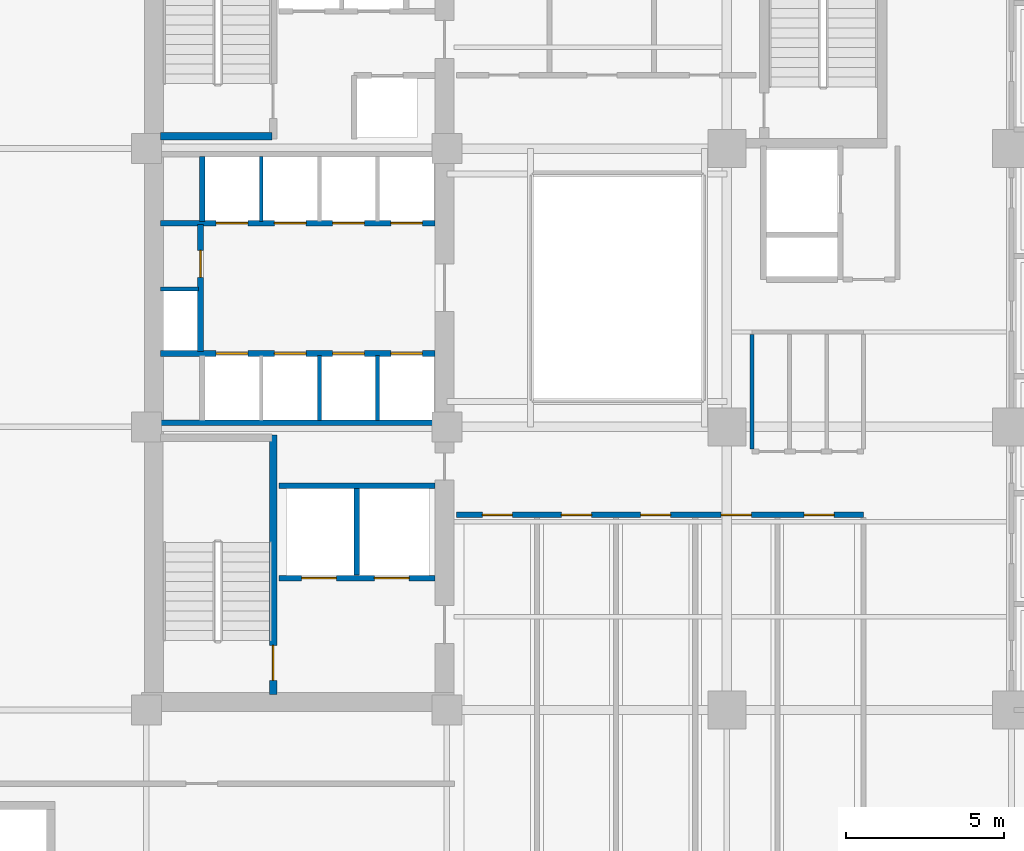
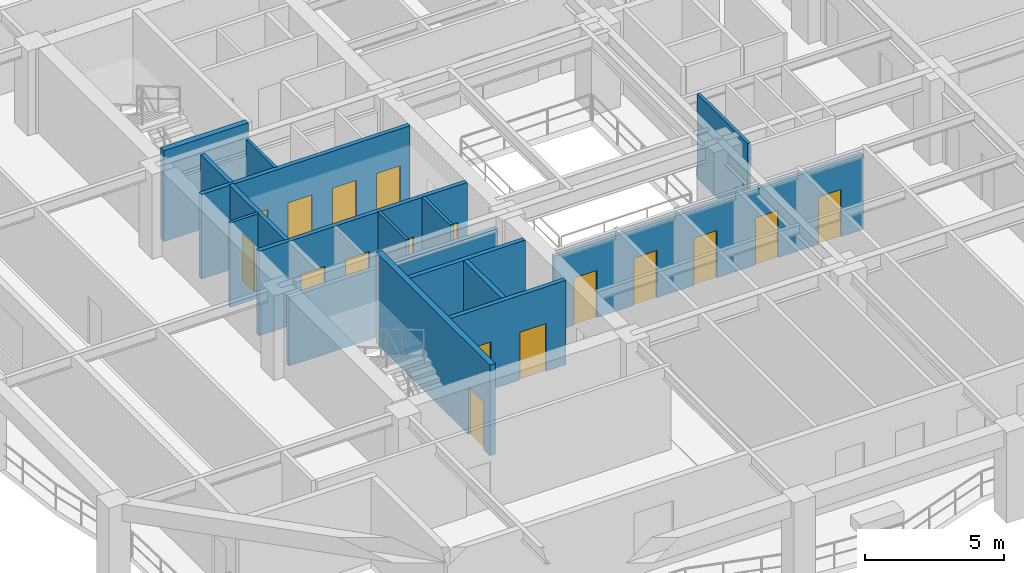
# One storey, part 3 of 13: 17 doors, 16 walls, 17 openings.
"""IFC4 building model written with IfcOpenShell, lengths in metres."""

from ifc_helpers import new_model, si_unit, direction, frame, frame_2d, origin, place, context, subcontext, project, spatial, rectangle, extrude, material, layer, layer_set, type_object, element, fill, save


model = new_model("IFC4")

# Units and contexts
model_context = context("Model", 3, precision=1e-05, world=origin(), true_north=direction((0.0, 1.0)))
body_context = subcontext(model_context, "Body", "Model", "MODEL_VIEW")
ifc_project = project(units=[si_unit("LENGTHUNIT", "METRE"), si_unit("AREAUNIT", "SQUARE_METRE"), si_unit("VOLUMEUNIT", "CUBIC_METRE"), si_unit("PLANEANGLEUNIT", "RADIAN"), si_unit("MASSUNIT", "GRAM", prefix="KILO")], contexts=[model_context])

# Site, building, storey
site_placement = place(None, origin())
site = spatial("IfcSite", under=ifc_project, at=site_placement, CompositionType="ELEMENT")
building_placement = place(site_placement, origin())
building = spatial("IfcBuilding", under=site, at=building_placement, Name="Kundavana Baori Tower", CompositionType="ELEMENT")
storey_placement = place(building_placement, frame((0.0, 0.0, 66.0)))
storey = spatial("IfcBuildingStorey", under=building, at=storey_placement, Name="L15", CompositionType="ELEMENT", Elevation=66.0)

# Wall, opening, door
ifc_material_1 = material(Name="Concrete C50/60", Category="concrete")
ifc_layer_1 = layer(ifc_material_1, 0.39990234375, Name="WL-CORE-400")
ifc_layer_set_1 = layer_set([ifc_layer_1], Name="Concrete C50/60")
wall_type_1 = type_object("IfcWallType", Name="WL-CORE-400", PredefinedType="SHEAR", material=ifc_layer_set_1)
wall_1_placement = place(storey_placement, frame((19.4599609375, 15.739990234375, 0.0), z_axis=(0.0, 0.0, 1.0), x_axis=(0.0, 1.0, 0.0)))
wall_1 = element("IfcWall", 1, at=wall_1_placement, inside=storey, type_object=wall_type_1, Name="WL-L15-ST1-E", PredefinedType="SHEAR", context=body_context, shape_type="SweptSolid", body=[
    extrude(rectangle(XDim=8.199951171875, YDim=0.239990234375, at=frame_2d((4.10009765625, 0.0))), origin(), (0.0, 0.0, 1.0), 4.0),
])
opening_1_placement = place(wall_1_placement, frame((0.449951171875, 0.0, 0.0)))
opening_1 = element("IfcOpeningElement", 2, at=opening_1_placement, cuts=wall_1, Name="Opening FD-110", PredefinedType="OPENING", context=body_context, shape_type="SweptSolid", body=[
    extrude(rectangle(XDim=1.10009765625, YDim=2.10009765625, at=frame_2d((0.550048828125, 1.050048828125))), frame((0.0, 0.1298828125, 0.0), z_axis=(0.0, -1.0, 0.0), x_axis=(1.0, 0.0, 0.0)), (0.0, 0.0, 1.0), 0.260009765625),
])
ifc_material_2 = material(Name="Galvanised Steel Fire-Rated Door Leaf", Category="steel")
door_type_1 = type_object("IfcDoorType", Name="DR-FD120-1100", OperationType="NOTDEFINED", PredefinedType="DOOR", material=ifc_material_2)
door_1_placement = place(opening_1_placement, origin())
door_1 = element("IfcDoor", 3, at=door_1_placement, inside=storey, type_object=door_type_1, Name="DR-L15-ST1", OperationType="SINGLE_SWING_LEFT", OverallHeight=2.10009765625, OverallWidth=1.10009765625, PredefinedType="DOOR", context=body_context, shape_type="SweptSolid", body=[
    extrude(rectangle(XDim=1.10009765625, YDim=2.10009765625, at=frame_2d((0.550048828125, 1.050048828125))), frame((0.0, 0.02490234375, 0.0), z_axis=(0.0, -1.0, 0.0), x_axis=(1.0, 0.0, 0.0)), (0.0, 0.0, 1.0), 0.050048828125),
])
fill(opening_1, door_1)

# Walls
wall_2_placement = place(storey_placement, frame((15.89990234375, 33.389892578125, 0.0), z_axis=(0.0, 0.0, 1.0), x_axis=(1.0, 0.0, 0.0)))
element("IfcWall", 4, at=wall_2_placement, inside=storey, type_object=wall_type_1, Name="WL-L15-ST2-S", PredefinedType="SHEAR", context=body_context, shape_type="SweptSolid", body=[
    extrude(rectangle(XDim=3.52001953125, YDim=0.239990234375, at=frame_2d((1.760009765625, 0.0))), origin(), (0.0, 0.0, 1.0), 4.0),
])
ifc_material_3 = material(Name="Acoustic Gypsum Plasterboard on Galvanised Steel Studs", Category="steel")
ifc_layer_2 = layer(ifc_material_3, 0.1201171875, Name="WL-PART-120")
ifc_layer_set_2 = layer_set([ifc_layer_2], Name="Acoustic Gypsum Plasterboard on Galvanised Steel Studs")
wall_type_2 = type_object("IfcWallType", Name="WL-PART-120", PredefinedType="PARTITIONING", material=ifc_layer_set_2)
for number, where, z_axis, x_axis, name in (
    (5, (20.919921875, 24.39990234375, 0.0), (0.0, 0.0, 1.0), (0.0, 1.0, 0.0), "WL-L15-LPLOW-D2"),
    (6, (22.760009765625, 24.39990234375, 0.0), (0.0, 0.0, 1.0), (0.0, 1.0, 0.0), "WL-L15-LPLOW-D3"),
):
    element("IfcWall", number, at=place(storey_placement, frame(where, z_axis=z_axis, x_axis=x_axis)), inside=storey, type_object=wall_type_2, Name=name, PredefinedType="PARTITIONING", context=body_context, shape_type="SweptSolid", body=[
        extrude(rectangle(XDim=2.050048828125, YDim=0.1201171875, at=frame_2d((1.02490234375, 0.0))), origin(), (0.0, 0.0, 1.0), 3.719970703125),
    ])
wall_3_placement = place(storey_placement, frame((15.89990234375, 28.56005859375, 0.0), z_axis=(0.0, 0.0, 1.0), x_axis=(1.0, 0.0, 0.0)))
element("IfcWall", 7, at=wall_3_placement, inside=storey, type_object=wall_type_2, Name="WL-L15-RSRW-N", PredefinedType="PARTITIONING", context=body_context, shape_type="SweptSolid", body=[
    extrude(rectangle(XDim=1.2001953125, YDim=0.1201171875, at=frame_2d((0.60009765625, 0.0))), origin(), (0.0, 0.0, 1.0), 3.719970703125),
])
wall_4_placement = place(storey_placement, frame((19.080078125, 30.699951171875, 0.0), z_axis=(0.0, 0.0, 1.0), x_axis=(0.0, 1.0, 0.0)))
element("IfcWall", 8, at=wall_4_placement, inside=storey, type_object=wall_type_2, Name="WL-L15-LPMID-D1", PredefinedType="PARTITIONING", context=body_context, shape_type="SweptSolid", body=[
    extrude(rectangle(XDim=2.050048828125, YDim=0.1201171875, at=frame_2d((1.02490234375, 0.0))), origin(), (0.0, 0.0, 1.0), 3.719970703125),
])

# Wall, openings, doors
ifc_material_4 = material(Name="Fire-Rated Gypsum Drywall on Galvanised Steel Studs", Category="steel")
ifc_layer_3 = layer(ifc_material_4, 0.1650390625, Name="WL-PART-165")
ifc_layer_set_3 = layer_set([ifc_layer_3], Name="Fire-Rated Gypsum Drywall on Galvanised Steel Studs")
wall_type_3 = type_object("IfcWallType", Name="WL-PART-165", PredefinedType="PARTITIONING", material=ifc_layer_set_3)
wall_5_placement = place(storey_placement, frame((25.25, 21.419921875, 0.0), z_axis=(0.0, 0.0, 1.0), x_axis=(1.0, 0.0, 0.0)))
wall_5 = element("IfcWall", 9, at=wall_5_placement, inside=storey, type_object=wall_type_3, Name="WL-L15-OFS", PredefinedType="PARTITIONING", context=body_context, shape_type="SweptSolid", body=[
    extrude(rectangle(XDim=12.8701171875, YDim=0.1650390625, at=frame_2d((6.43505859375, 0.0))), origin(), (0.0, 0.0, 1.0), 3.320068359375),
])
opening_2_placement = place(wall_5_placement, frame((0.824951171875, 0.0, 0.0)))
opening_2 = element("IfcOpeningElement", 10, at=opening_2_placement, cuts=wall_5, Name="Opening ID-095", PredefinedType="OPENING", context=body_context, shape_type="SweptSolid", body=[
    extrude(rectangle(XDim=0.949951171875, YDim=2.080078125, at=frame_2d((0.47509765625, 1.0400390625))), frame((0.0, 0.092529296875, 0.0), z_axis=(0.0, -1.0, 0.0), x_axis=(1.0, 0.0, 0.0)), (0.0, 0.0, 1.0), 0.18505859375),
])
opening_3_placement = place(wall_5_placement, frame((3.324951171875, 0.0, 0.0)))
opening_3 = element("IfcOpeningElement", 11, at=opening_3_placement, cuts=wall_5, Name="Opening ID-095", PredefinedType="OPENING", context=body_context, shape_type="SweptSolid", body=[
    extrude(rectangle(XDim=0.949951171875, YDim=2.080078125, at=frame_2d((0.47509765625, 1.0400390625))), frame((0.0, 0.092529296875, 0.0), z_axis=(0.0, -1.0, 0.0), x_axis=(1.0, 0.0, 0.0)), (0.0, 0.0, 1.0), 0.18505859375),
])
opening_4_placement = place(wall_5_placement, frame((5.824951171875, 0.0, 0.0)))
opening_4 = element("IfcOpeningElement", 12, at=opening_4_placement, cuts=wall_5, Name="Opening ID-095", PredefinedType="OPENING", context=body_context, shape_type="SweptSolid", body=[
    extrude(rectangle(XDim=0.949951171875, YDim=2.080078125, at=frame_2d((0.47509765625, 1.0400390625))), frame((0.0, 0.092529296875, 0.0), z_axis=(0.0, -1.0, 0.0), x_axis=(1.0, 0.0, 0.0)), (0.0, 0.0, 1.0), 0.18505859375),
])
opening_5_placement = place(wall_5_placement, frame((8.375, 0.0, 0.0)))
opening_5 = element("IfcOpeningElement", 13, at=opening_5_placement, cuts=wall_5, Name="Opening ID-095", PredefinedType="OPENING", context=body_context, shape_type="SweptSolid", body=[
    extrude(rectangle(XDim=0.949951171875, YDim=2.080078125, at=frame_2d((0.47509765625, 1.0400390625))), frame((0.0, 0.092529296875, 0.0), z_axis=(0.0, -1.0, 0.0), x_axis=(1.0, 0.0, 0.0)), (0.0, 0.0, 1.0), 0.18505859375),
])
opening_6_placement = place(wall_5_placement, frame((10.9951171875, 0.0, 0.0)))
opening_6 = element("IfcOpeningElement", 14, at=opening_6_placement, cuts=wall_5, Name="Opening ID-095", PredefinedType="OPENING", context=body_context, shape_type="SweptSolid", body=[
    extrude(rectangle(XDim=0.949951171875, YDim=2.080078125, at=frame_2d((0.47509765625, 1.0400390625))), frame((0.0, 0.092529296875, 0.0), z_axis=(0.0, -1.0, 0.0), x_axis=(1.0, 0.0, 0.0)), (0.0, 0.0, 1.0), 0.18505859375),
])
ifc_material_5 = material(Name="Engineered Teak Solid-Core Timber Veneer", Category="wood")
door_type_2 = type_object("IfcDoorType", Name="DR-INT-950", OperationType="NOTDEFINED", PredefinedType="DOOR", material=ifc_material_5)
door_2_placement = place(opening_2_placement, frame((0.949951171875, 0.0, 0.0), z_axis=(0.0, 0.0, 1.0), x_axis=(-1.0, 0.0, 0.0)))
door_2 = element("IfcDoor", 15, at=door_2_placement, inside=storey, type_object=door_type_2, Name="DR-L15-OFS1", OperationType="SINGLE_SWING_LEFT", OverallHeight=2.080078125, OverallWidth=0.949951171875, PredefinedType="DOOR", context=body_context, shape_type="SweptSolid", body=[
    extrude(rectangle(XDim=0.949951171875, YDim=2.080078125, at=frame_2d((0.47509765625, 1.0400390625))), frame((0.0, 0.02490234375, 0.0), z_axis=(0.0, -1.0, 0.0), x_axis=(1.0, 0.0, 0.0)), (0.0, 0.0, 1.0), 0.050048828125),
])
fill(opening_2, door_2)
door_3_placement = place(opening_3_placement, frame((0.949951171875, 0.0, 0.0), z_axis=(0.0, 0.0, 1.0), x_axis=(-1.0, 0.0, 0.0)))
door_3 = element("IfcDoor", 16, at=door_3_placement, inside=storey, type_object=door_type_2, Name="DR-L15-OFS2", OperationType="SINGLE_SWING_RIGHT", OverallHeight=2.080078125, OverallWidth=0.949951171875, PredefinedType="DOOR", context=body_context, shape_type="SweptSolid", body=[
    extrude(rectangle(XDim=0.949951171875, YDim=2.080078125, at=frame_2d((0.47509765625, 1.0400390625))), frame((0.0, 0.02490234375, 0.0), z_axis=(0.0, -1.0, 0.0), x_axis=(1.0, 0.0, 0.0)), (0.0, 0.0, 1.0), 0.050048828125),
])
fill(opening_3, door_3)
door_4_placement = place(opening_4_placement, frame((0.949951171875, 0.0, 0.0), z_axis=(0.0, 0.0, 1.0), x_axis=(-1.0, 0.0, 0.0)))
door_4 = element("IfcDoor", 17, at=door_4_placement, inside=storey, type_object=door_type_2, Name="DR-L15-OFS3", OperationType="SINGLE_SWING_LEFT", OverallHeight=2.080078125, OverallWidth=0.949951171875, PredefinedType="DOOR", context=body_context, shape_type="SweptSolid", body=[
    extrude(rectangle(XDim=0.949951171875, YDim=2.080078125, at=frame_2d((0.47509765625, 1.0400390625))), frame((0.0, 0.02490234375, 0.0), z_axis=(0.0, -1.0, 0.0), x_axis=(1.0, 0.0, 0.0)), (0.0, 0.0, 1.0), 0.050048828125),
])
fill(opening_4, door_4)
door_5_placement = place(opening_5_placement, frame((0.949951171875, 0.0, 0.0), z_axis=(0.0, 0.0, 1.0), x_axis=(-1.0, 0.0, 0.0)))
door_5 = element("IfcDoor", 18, at=door_5_placement, inside=storey, type_object=door_type_2, Name="DR-L15-OFS4", OperationType="SINGLE_SWING_RIGHT", OverallHeight=2.080078125, OverallWidth=0.949951171875, PredefinedType="DOOR", context=body_context, shape_type="SweptSolid", body=[
    extrude(rectangle(XDim=0.949951171875, YDim=2.080078125, at=frame_2d((0.47509765625, 1.0400390625))), frame((0.0, 0.02490234375, 0.0), z_axis=(0.0, -1.0, 0.0), x_axis=(1.0, 0.0, 0.0)), (0.0, 0.0, 1.0), 0.050048828125),
])
fill(opening_5, door_5)
door_6_placement = place(opening_6_placement, frame((0.949951171875, 0.0, 0.0), z_axis=(0.0, 0.0, 1.0), x_axis=(-1.0, 0.0, 0.0)))
door_6 = element("IfcDoor", 19, at=door_6_placement, inside=storey, type_object=door_type_2, Name="DR-L15-OFS5", OperationType="SINGLE_SWING_LEFT", OverallHeight=2.080078125, OverallWidth=0.949951171875, PredefinedType="DOOR", context=body_context, shape_type="SweptSolid", body=[
    extrude(rectangle(XDim=0.949951171875, YDim=2.080078125, at=frame_2d((0.47509765625, 1.0400390625))), frame((0.0, 0.02490234375, 0.0), z_axis=(0.0, -1.0, 0.0), x_axis=(1.0, 0.0, 0.0)), (0.0, 0.0, 1.0), 0.050048828125),
])
fill(opening_6, door_6)

ifc_material_6 = material(Name="Autoclaved Aerated Concrete Blockwork Masonry", Category="masonry")
ifc_layer_4 = layer(ifc_material_6, 0.179931640625, Name="WL-SHAFT-180")
ifc_layer_set_4 = layer_set([ifc_layer_4], Name="Autoclaved Aerated Concrete Blockwork Masonry")
wall_type_4 = type_object("IfcWallType", Name="WL-SHAFT-180", PredefinedType="SOLIDWALL", material=ifc_layer_set_4)
wall_6_placement = place(storey_placement, frame((19.639892578125, 19.419921875, 0.0), z_axis=(0.0, 0.0, 1.0), x_axis=(1.0, 0.0, 0.0)))
wall_6 = element("IfcWall", 20, at=wall_6_placement, inside=storey, type_object=wall_type_4, Name="WL-L15-FFL-S", PredefinedType="SOLIDWALL", context=body_context, shape_type="SweptSolid", body=[
    extrude(rectangle(XDim=4.940185546875, YDim=0.179931640625, at=frame_2d((2.47021484375, 0.0))), origin(), (0.0, 0.0, 1.0), 3.719970703125),
])
opening_7_placement = place(wall_6_placement, frame((0.719970703125, 0.0, 0.0)))
opening_7 = element("IfcOpeningElement", 21, at=opening_7_placement, cuts=wall_6, Name="Opening LD-110", PredefinedType="OPENING", context=body_context, shape_type="SweptSolid", body=[
    extrude(rectangle(XDim=1.10009765625, YDim=2.10009765625, at=frame_2d((0.550048828125, 1.050048828125))), frame((0.0, 0.10009765625, 0.0), z_axis=(0.0, -1.0, 0.0), x_axis=(1.0, 0.0, 0.0)), (0.0, 0.0, 1.0), 0.199951171875),
])
opening_8_placement = place(wall_6_placement, frame((3.02001953125, 0.0, 0.0)))
opening_8 = element("IfcOpeningElement", 22, at=opening_8_placement, cuts=wall_6, Name="Opening LD-110", PredefinedType="OPENING", context=body_context, shape_type="SweptSolid", body=[
    extrude(rectangle(XDim=1.10009765625, YDim=2.10009765625, at=frame_2d((0.550048828125, 1.050048828125))), frame((0.0, 0.10009765625, 0.0), z_axis=(0.0, -1.0, 0.0), x_axis=(1.0, 0.0, 0.0)), (0.0, 0.0, 1.0), 0.199951171875),
])
ifc_material_7 = material(Name="Galvanised Steel Fire-Rated Door Leaf", Category="steel")
door_type_3 = type_object("IfcDoorType", Name="DR-SLIDE-LD1100", OperationType="NOTDEFINED", PredefinedType="DOOR", material=ifc_material_7)
door_7_placement = place(opening_7_placement, origin())
door_7 = element("IfcDoor", 23, at=door_7_placement, inside=storey, type_object=door_type_3, Name="DR-L15-LD-FFL-1", OperationType="DOUBLE_DOOR_SLIDING", OverallHeight=2.10009765625, OverallWidth=1.10009765625, PredefinedType="DOOR", context=body_context, shape_type="SweptSolid", body=[
    extrude(rectangle(XDim=1.10009765625, YDim=2.10009765625, at=frame_2d((0.550048828125, 1.050048828125))), frame((0.0, 0.02490234375, 0.0), z_axis=(0.0, -1.0, 0.0), x_axis=(1.0, 0.0, 0.0)), (0.0, 0.0, 1.0), 0.050048828125),
])
fill(opening_7, door_7)
door_8_placement = place(opening_8_placement, origin())
door_8 = element("IfcDoor", 24, at=door_8_placement, inside=storey, type_object=door_type_3, Name="DR-L15-LD-FFL-2", OperationType="DOUBLE_DOOR_SLIDING", OverallHeight=2.10009765625, OverallWidth=1.10009765625, PredefinedType="DOOR", context=body_context, shape_type="SweptSolid", body=[
    extrude(rectangle(XDim=1.10009765625, YDim=2.10009765625, at=frame_2d((0.550048828125, 1.050048828125))), frame((0.0, 0.02490234375, 0.0), z_axis=(0.0, -1.0, 0.0), x_axis=(1.0, 0.0, 0.0)), (0.0, 0.0, 1.0), 0.050048828125),
])
fill(opening_8, door_8)

# Walls
wall_7_placement = place(storey_placement, frame((22.10009765625, 19.510009765625, 0.0), z_axis=(0.0, 0.0, 1.0), x_axis=(0.0, 1.0, 0.0)))
element("IfcWall", 25, at=wall_7_placement, inside=storey, type_object=wall_type_4, Name="WL-L15-FFL-MID", PredefinedType="SOLIDWALL", context=body_context, shape_type="SweptSolid", body=[
    extrude(rectangle(XDim=2.739990234375, YDim=0.179931640625, at=frame_2d((1.3701171875, 0.0))), origin(), (0.0, 0.0, 1.0), 3.719970703125),
])
wall_8_placement = place(storey_placement, frame((19.639892578125, 22.340087890625, 0.0), z_axis=(0.0, 0.0, 1.0), x_axis=(1.0, 0.0, 0.0)))
element("IfcWall", 26, at=wall_8_placement, inside=storey, type_object=wall_type_4, Name="WL-L15-FFL-N", PredefinedType="SOLIDWALL", context=body_context, shape_type="SweptSolid", body=[
    extrude(rectangle(XDim=4.940185546875, YDim=0.179931640625, at=frame_2d((2.47021484375, 0.0))), origin(), (0.0, 0.0, 1.0), 3.719970703125),
])

# Wall, openings, doors
wall_9_placement = place(storey_placement, frame((15.89990234375, 26.52001953125, 0.0), z_axis=(0.0, 0.0, 1.0), x_axis=(1.0, 0.0, 0.0)))
wall_9 = element("IfcWall", 27, at=wall_9_placement, inside=storey, type_object=wall_type_4, Name="WL-L15-LPLOW-N", PredefinedType="SOLIDWALL", context=body_context, shape_type="SweptSolid", body=[
    extrude(rectangle(XDim=8.68017578125, YDim=0.179931640625, at=frame_2d((4.340087890625, 0.0))), origin(), (0.0, 0.0, 1.0), 3.719970703125),
])
opening_9_placement = place(wall_9_placement, frame((1.760009765625, 0.0, 0.0)))
opening_9 = element("IfcOpeningElement", 28, at=opening_9_placement, cuts=wall_9, Name="Opening LD-100", PredefinedType="OPENING", context=body_context, shape_type="SweptSolid", body=[
    extrude(rectangle(XDim=1.0, YDim=2.10009765625, at=frame_2d((0.5, 1.050048828125))), frame((0.0, 0.10009765625, 0.0), z_axis=(0.0, -1.0, 0.0), x_axis=(1.0, 0.0, 0.0)), (0.0, 0.0, 1.0), 0.199951171875),
])
opening_10_placement = place(wall_9_placement, frame((3.60009765625, 0.0, 0.0)))
opening_10 = element("IfcOpeningElement", 29, at=opening_10_placement, cuts=wall_9, Name="Opening LD-100", PredefinedType="OPENING", context=body_context, shape_type="SweptSolid", body=[
    extrude(rectangle(XDim=1.0, YDim=2.10009765625, at=frame_2d((0.5, 1.050048828125))), frame((0.0, 0.10009765625, 0.0), z_axis=(0.0, -1.0, 0.0), x_axis=(1.0, 0.0, 0.0)), (0.0, 0.0, 1.0), 0.199951171875),
])
opening_11_placement = place(wall_9_placement, frame((5.43994140625, 0.0, 0.0)))
opening_11 = element("IfcOpeningElement", 30, at=opening_11_placement, cuts=wall_9, Name="Opening LD-100", PredefinedType="OPENING", context=body_context, shape_type="SweptSolid", body=[
    extrude(rectangle(XDim=1.0, YDim=2.10009765625, at=frame_2d((0.5, 1.050048828125))), frame((0.0, 0.10009765625, 0.0), z_axis=(0.0, -1.0, 0.0), x_axis=(1.0, 0.0, 0.0)), (0.0, 0.0, 1.0), 0.199951171875),
])
opening_12_placement = place(wall_9_placement, frame((7.280029296875, 0.0, 0.0)))
opening_12 = element("IfcOpeningElement", 31, at=opening_12_placement, cuts=wall_9, Name="Opening LD-100", PredefinedType="OPENING", context=body_context, shape_type="SweptSolid", body=[
    extrude(rectangle(XDim=1.0, YDim=2.10009765625, at=frame_2d((0.5, 1.050048828125))), frame((0.0, 0.10009765625, 0.0), z_axis=(0.0, -1.0, 0.0), x_axis=(1.0, 0.0, 0.0)), (0.0, 0.0, 1.0), 0.199951171875),
])
ifc_material_8 = material(Name="Galvanised Steel Fire-Rated Door Leaf", Category="steel")
door_type_4 = type_object("IfcDoorType", Name="DR-SLIDE-LD1000", OperationType="NOTDEFINED", PredefinedType="DOOR", material=ifc_material_8)
door_9_placement = place(opening_9_placement, origin())
door_9 = element("IfcDoor", 32, at=door_9_placement, inside=storey, type_object=door_type_4, Name="DR-L15-LD-LP-01", OperationType="DOUBLE_DOOR_SLIDING", OverallHeight=2.10009765625, OverallWidth=1.0, PredefinedType="DOOR", context=body_context, shape_type="SweptSolid", body=[
    extrude(rectangle(XDim=1.0, YDim=2.10009765625, at=frame_2d((0.5, 1.050048828125))), frame((0.0, 0.02490234375, 0.0), z_axis=(0.0, -1.0, 0.0), x_axis=(1.0, 0.0, 0.0)), (0.0, 0.0, 1.0), 0.050048828125),
])
fill(opening_9, door_9)
door_10_placement = place(opening_10_placement, origin())
door_10 = element("IfcDoor", 33, at=door_10_placement, inside=storey, type_object=door_type_4, Name="DR-L15-LD-LP-02", OperationType="DOUBLE_DOOR_SLIDING", OverallHeight=2.10009765625, OverallWidth=1.0, PredefinedType="DOOR", context=body_context, shape_type="SweptSolid", body=[
    extrude(rectangle(XDim=1.0, YDim=2.10009765625, at=frame_2d((0.5, 1.050048828125))), frame((0.0, 0.02490234375, 0.0), z_axis=(0.0, -1.0, 0.0), x_axis=(1.0, 0.0, 0.0)), (0.0, 0.0, 1.0), 0.050048828125),
])
fill(opening_10, door_10)
door_11_placement = place(opening_11_placement, origin())
door_11 = element("IfcDoor", 34, at=door_11_placement, inside=storey, type_object=door_type_4, Name="DR-L15-LD-LP-03", OperationType="DOUBLE_DOOR_SLIDING", OverallHeight=2.10009765625, OverallWidth=1.0, PredefinedType="DOOR", context=body_context, shape_type="SweptSolid", body=[
    extrude(rectangle(XDim=1.0, YDim=2.10009765625, at=frame_2d((0.5, 1.050048828125))), frame((0.0, 0.02490234375, 0.0), z_axis=(0.0, -1.0, 0.0), x_axis=(1.0, 0.0, 0.0)), (0.0, 0.0, 1.0), 0.050048828125),
])
fill(opening_11, door_11)
door_12_placement = place(opening_12_placement, origin())
door_12 = element("IfcDoor", 35, at=door_12_placement, inside=storey, type_object=door_type_4, Name="DR-L15-LD-LP-04", OperationType="DOUBLE_DOOR_SLIDING", OverallHeight=2.10009765625, OverallWidth=1.0, PredefinedType="DOOR", context=body_context, shape_type="SweptSolid", body=[
    extrude(rectangle(XDim=1.0, YDim=2.10009765625, at=frame_2d((0.5, 1.050048828125))), frame((0.0, 0.02490234375, 0.0), z_axis=(0.0, -1.0, 0.0), x_axis=(1.0, 0.0, 0.0)), (0.0, 0.0, 1.0), 0.050048828125),
])
fill(opening_12, door_12)

# Wall
wall_10_placement = place(storey_placement, frame((15.89990234375, 24.330078125, 0.0), z_axis=(0.0, 0.0, 1.0), x_axis=(1.0, 0.0, 0.0)))
element("IfcWall", 36, at=wall_10_placement, inside=storey, type_object=wall_type_4, Name="WL-L15-LPLOW-S", PredefinedType="SOLIDWALL", context=body_context, shape_type="SweptSolid", body=[
    extrude(rectangle(XDim=8.68017578125, YDim=0.179931640625, at=frame_2d((4.340087890625, 0.0))), origin(), (0.0, 0.0, 1.0), 3.02001953125),
])

# Wall, opening, door
wall_11_placement = place(storey_placement, frame((17.159912109375, 26.580078125, 0.0), z_axis=(0.0, 0.0, 1.0), x_axis=(0.0, 1.0, 0.0)))
wall_11 = element("IfcWall", 37, at=wall_11_placement, inside=storey, type_object=wall_type_4, Name="WL-L15-RSRW-E", PredefinedType="SOLIDWALL", context=body_context, shape_type="SweptSolid", body=[
    extrude(rectangle(XDim=4.02001953125, YDim=0.179931640625, at=frame_2d((2.010009765625, 0.0))), origin(), (0.0, 0.0, 1.0), 3.719970703125),
])
opening_13_placement = place(wall_11_placement, frame((2.35009765625, 0.0, 0.0)))
opening_13 = element("IfcOpeningElement", 38, at=opening_13_placement, cuts=wall_11, Name="Opening FD-085", PredefinedType="OPENING", context=body_context, shape_type="SweptSolid", body=[
    extrude(rectangle(XDim=0.85009765625, YDim=2.06005859375, at=frame_2d((0.425048828125, 1.030029296875))), frame((0.0, 0.10009765625, 0.0), z_axis=(0.0, -1.0, 0.0), x_axis=(1.0, 0.0, 0.0)), (0.0, 0.0, 1.0), 0.199951171875),
])
ifc_material_9 = material(Name="Galvanised Steel Fire-Rated Door Leaf", Category="steel")
door_type_5 = type_object("IfcDoorType", Name="DR-FD60-850", OperationType="NOTDEFINED", PredefinedType="DOOR", material=ifc_material_9)
door_13_placement = place(opening_13_placement, origin())
door_13 = element("IfcDoor", 39, at=door_13_placement, inside=storey, type_object=door_type_5, Name="DR-L15-CLN", OperationType="SINGLE_SWING_RIGHT", OverallHeight=2.06005859375, OverallWidth=0.85009765625, PredefinedType="DOOR", context=body_context, shape_type="SweptSolid", body=[
    extrude(rectangle(XDim=0.85009765625, YDim=2.06005859375, at=frame_2d((0.425048828125, 1.030029296875))), frame((0.0, 0.02490234375, 0.0), z_axis=(0.0, -1.0, 0.0), x_axis=(1.0, 0.0, 0.0)), (0.0, 0.0, 1.0), 0.050048828125),
])
fill(opening_13, door_13)

# Wall, openings, doors
wall_12_placement = place(storey_placement, frame((15.89990234375, 30.639892578125, 0.0), z_axis=(0.0, 0.0, 1.0), x_axis=(1.0, 0.0, 0.0)))
wall_12 = element("IfcWall", 40, at=wall_12_placement, inside=storey, type_object=wall_type_4, Name="WL-L15-LPMID-S", PredefinedType="SOLIDWALL", context=body_context, shape_type="SweptSolid", body=[
    extrude(rectangle(XDim=8.68017578125, YDim=0.179931640625, at=frame_2d((4.340087890625, 0.0))), origin(), (0.0, 0.0, 1.0), 3.719970703125),
])
opening_14_placement = place(wall_12_placement, frame((1.760009765625, 0.0, 0.0)))
opening_14 = element("IfcOpeningElement", 41, at=opening_14_placement, cuts=wall_12, Name="Opening LD-100", PredefinedType="OPENING", context=body_context, shape_type="SweptSolid", body=[
    extrude(rectangle(XDim=1.0, YDim=2.10009765625, at=frame_2d((0.5, 1.050048828125))), frame((0.0, 0.10009765625, 0.0), z_axis=(0.0, -1.0, 0.0), x_axis=(1.0, 0.0, 0.0)), (0.0, 0.0, 1.0), 0.199951171875),
])
opening_15_placement = place(wall_12_placement, frame((3.60009765625, 0.0, 0.0)))
opening_15 = element("IfcOpeningElement", 42, at=opening_15_placement, cuts=wall_12, Name="Opening LD-100", PredefinedType="OPENING", context=body_context, shape_type="SweptSolid", body=[
    extrude(rectangle(XDim=1.0, YDim=2.10009765625, at=frame_2d((0.5, 1.050048828125))), frame((0.0, 0.10009765625, 0.0), z_axis=(0.0, -1.0, 0.0), x_axis=(1.0, 0.0, 0.0)), (0.0, 0.0, 1.0), 0.199951171875),
])
opening_16_placement = place(wall_12_placement, frame((5.43994140625, 0.0, 0.0)))
opening_16 = element("IfcOpeningElement", 43, at=opening_16_placement, cuts=wall_12, Name="Opening LD-100", PredefinedType="OPENING", context=body_context, shape_type="SweptSolid", body=[
    extrude(rectangle(XDim=1.0, YDim=2.10009765625, at=frame_2d((0.5, 1.050048828125))), frame((0.0, 0.10009765625, 0.0), z_axis=(0.0, -1.0, 0.0), x_axis=(1.0, 0.0, 0.0)), (0.0, 0.0, 1.0), 0.199951171875),
])
opening_17_placement = place(wall_12_placement, frame((7.280029296875, 0.0, 0.0)))
opening_17 = element("IfcOpeningElement", 44, at=opening_17_placement, cuts=wall_12, Name="Opening LD-100", PredefinedType="OPENING", context=body_context, shape_type="SweptSolid", body=[
    extrude(rectangle(XDim=1.0, YDim=2.10009765625, at=frame_2d((0.5, 1.050048828125))), frame((0.0, 0.10009765625, 0.0), z_axis=(0.0, -1.0, 0.0), x_axis=(1.0, 0.0, 0.0)), (0.0, 0.0, 1.0), 0.199951171875),
])
door_14_placement = place(opening_14_placement, frame((1.0, 0.0, 0.0), z_axis=(0.0, 0.0, 1.0), x_axis=(-1.0, 0.0, 0.0)))
door_14 = element("IfcDoor", 45, at=door_14_placement, inside=storey, type_object=door_type_4, Name="DR-L15-LD-LP-05", OperationType="DOUBLE_DOOR_SLIDING", OverallHeight=2.10009765625, OverallWidth=1.0, PredefinedType="DOOR", context=body_context, shape_type="SweptSolid", body=[
    extrude(rectangle(XDim=1.0, YDim=2.10009765625, at=frame_2d((0.5, 1.050048828125))), frame((0.0, 0.02490234375, 0.0), z_axis=(0.0, -1.0, 0.0), x_axis=(1.0, 0.0, 0.0)), (0.0, 0.0, 1.0), 0.050048828125),
])
fill(opening_14, door_14)
door_15_placement = place(opening_15_placement, frame((1.0, 0.0, 0.0), z_axis=(0.0, 0.0, 1.0), x_axis=(-1.0, 0.0, 0.0)))
door_15 = element("IfcDoor", 46, at=door_15_placement, inside=storey, type_object=door_type_4, Name="DR-L15-LD-LP-06", OperationType="DOUBLE_DOOR_SLIDING", OverallHeight=2.10009765625, OverallWidth=1.0, PredefinedType="DOOR", context=body_context, shape_type="SweptSolid", body=[
    extrude(rectangle(XDim=1.0, YDim=2.10009765625, at=frame_2d((0.5, 1.050048828125))), frame((0.0, 0.02490234375, 0.0), z_axis=(0.0, -1.0, 0.0), x_axis=(1.0, 0.0, 0.0)), (0.0, 0.0, 1.0), 0.050048828125),
])
fill(opening_15, door_15)
door_16_placement = place(opening_16_placement, frame((1.0, 0.0, 0.0), z_axis=(0.0, 0.0, 1.0), x_axis=(-1.0, 0.0, 0.0)))
door_16 = element("IfcDoor", 47, at=door_16_placement, inside=storey, type_object=door_type_4, Name="DR-L15-LD-LP-07", OperationType="DOUBLE_DOOR_SLIDING", OverallHeight=2.10009765625, OverallWidth=1.0, PredefinedType="DOOR", context=body_context, shape_type="SweptSolid", body=[
    extrude(rectangle(XDim=1.0, YDim=2.10009765625, at=frame_2d((0.5, 1.050048828125))), frame((0.0, 0.02490234375, 0.0), z_axis=(0.0, -1.0, 0.0), x_axis=(1.0, 0.0, 0.0)), (0.0, 0.0, 1.0), 0.050048828125),
])
fill(opening_16, door_16)
door_17_placement = place(opening_17_placement, frame((1.0, 0.0, 0.0), z_axis=(0.0, 0.0, 1.0), x_axis=(-1.0, 0.0, 0.0)))
door_17 = element("IfcDoor", 48, at=door_17_placement, inside=storey, type_object=door_type_4, Name="DR-L15-LD-LP-08", OperationType="DOUBLE_DOOR_SLIDING", OverallHeight=2.10009765625, OverallWidth=1.0, PredefinedType="DOOR", context=body_context, shape_type="SweptSolid", body=[
    extrude(rectangle(XDim=1.0, YDim=2.10009765625, at=frame_2d((0.5, 1.050048828125))), frame((0.0, 0.02490234375, 0.0), z_axis=(0.0, -1.0, 0.0), x_axis=(1.0, 0.0, 0.0)), (0.0, 0.0, 1.0), 0.050048828125),
])
fill(opening_17, door_17)

# Walls
wall_13_placement = place(storey_placement, frame((17.219970703125, 30.699951171875, 0.0), z_axis=(0.0, 0.0, 1.0), x_axis=(0.0, 1.0, 0.0)))
element("IfcWall", 49, at=wall_13_placement, inside=storey, type_object=wall_type_4, Name="WL-L15-LPMID-W", PredefinedType="SOLIDWALL", context=body_context, shape_type="SweptSolid", body=[
    extrude(rectangle(XDim=2.050048828125, YDim=0.179931640625, at=frame_2d((1.02490234375, 0.0))), origin(), (0.0, 0.0, 1.0), 3.719970703125),
])
ifc_material_10 = material(Name="Autoclaved Aerated Concrete Blockwork Masonry", Category="masonry")
ifc_layer_5 = layer(ifc_material_10, 0.125, Name="WL-WET-120")
ifc_layer_set_5 = layer_set([ifc_layer_5], Name="Autoclaved Aerated Concrete Blockwork Masonry")
wall_type_5 = type_object("IfcWallType", Name="WL-WET-120", PredefinedType="PLUMBINGWALL", material=ifc_layer_set_5)
wall_14_placement = place(storey_placement, frame((34.60009765625, 23.5, 0.0), z_axis=(0.0, 0.0, 1.0), x_axis=(0.0, 1.0, 0.0)))
element("IfcWall", 50, at=wall_14_placement, inside=storey, type_object=wall_type_5, Name="WL-L15-WCW", PredefinedType="PLUMBINGWALL", context=body_context, shape_type="SweptSolid", body=[
    extrude(rectangle(XDim=3.6201171875, YDim=0.125, at=frame_2d((1.81005859375, 0.0))), origin(), (0.0, 0.0, 1.0), 3.719970703125),
])

save(model, "model.ifc")
